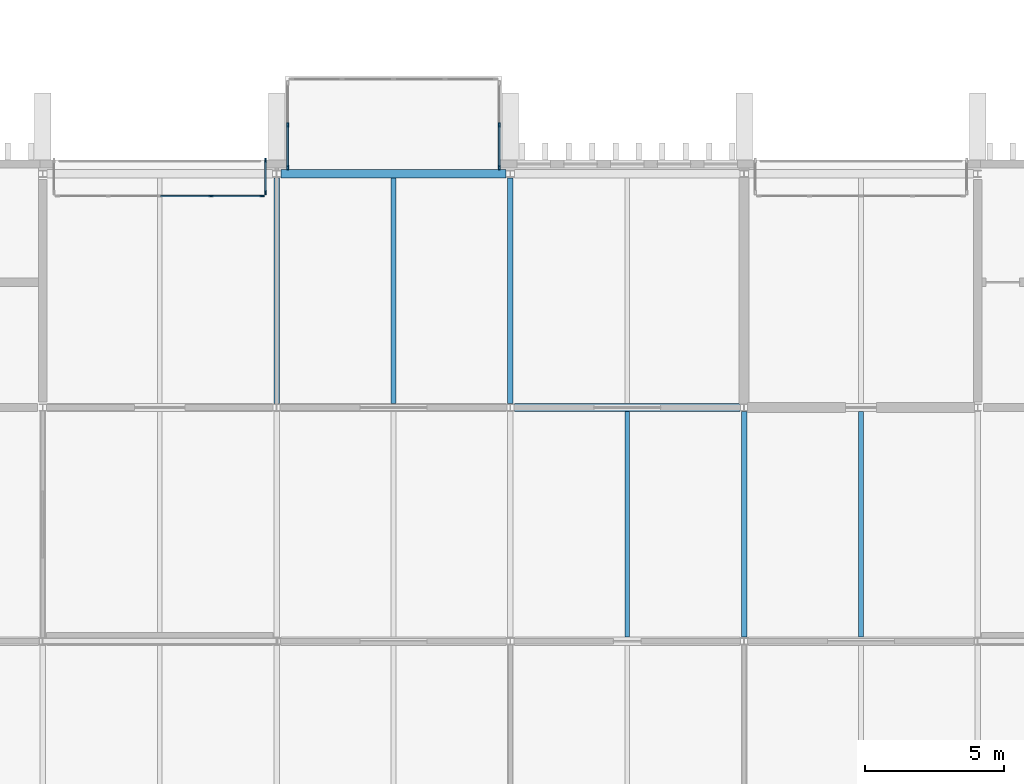
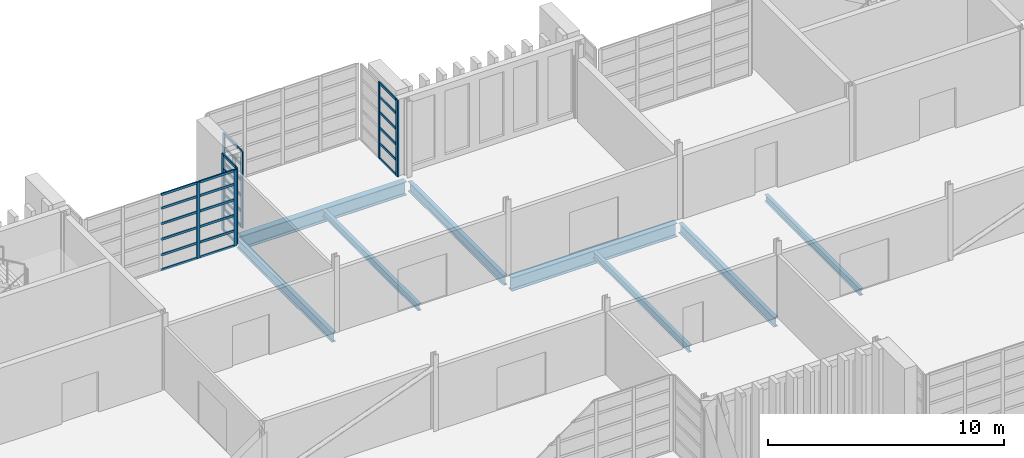
# One storey, part 26 of 88: 38 members, 8 beams, 4 elements without a shape of their own.
"""IFC4 building model written with IfcOpenShell, lengths in metres."""

from ifc_helpers import new_model, si_unit, direction, frame, origin, origin_2d, place, context, subcontext, project, spatial, rectangle, i_section, extrude, material, layer, layer_set, material_profile, profile_set, type_object, element, aggregate, save


model = new_model("IFC4")

# Units and contexts
model_context = context("Model", 3, precision=1e-05, world=origin(), true_north=direction((0.0, 1.0)))
body_context = subcontext(model_context, "Body", "Model", "MODEL_VIEW")
ifc_project = project(units=[si_unit("LENGTHUNIT", "METRE"), si_unit("AREAUNIT", "SQUARE_METRE"), si_unit("VOLUMEUNIT", "CUBIC_METRE"), si_unit("PLANEANGLEUNIT", "RADIAN"), si_unit("MASSUNIT", "GRAM", prefix="KILO")], contexts=[model_context])

# Site, building, storey
site_placement = place(None, origin())
site = spatial("IfcSite", under=ifc_project, at=site_placement, CompositionType="ELEMENT")
building_placement = place(site_placement, origin())
building = spatial("IfcBuilding", under=site, at=building_placement, Name="Cresset Court Congress Hotel", CompositionType="ELEMENT")
storey_placement = place(building_placement, frame((0.0, 0.0, 14.39990234375)))
storey = spatial("IfcBuildingStorey", under=building, at=storey_placement, Name="L03", CompositionType="ELEMENT", Elevation=14.39990234375)

# Curtain wall, members
ifc_material_1 = material(Name="Aluminium frame with double glazing", Category="aluminium")
ifc_layer = layer(ifc_material_1, 0.199951171875)
ifc_layer_set = layer_set([ifc_layer], Name="Glazed box curtain wall 1680 module")
curtain_wall_type = type_object("IfcCurtainWallType", Name="Glazed box curtain wall 1680 module", PredefinedType="NOTDEFINED", material=ifc_layer_set)
curtain_wall_1_placement = place(storey_placement, origin())
curtain_wall_1 = element("IfcCurtainWall", 1, at=curtain_wall_1_placement, inside=storey, type_object=curtain_wall_type, Name="Glazed box N0327 front", PredefinedType="NOTDEFINED")
ifc_material_2 = material(Name="Aluminium", Category="aluminium")
ifc_material_profile_1 = material_profile(ifc_material_2, rectangle(XDim=0.06005859375, YDim=0.159912109375, at=origin_2d()), Name="Box mullion 60x160")
ifc_profile_set_1 = profile_set([ifc_material_profile_1], Name="Aluminium")
member_type_1 = type_object("IfcMemberType", Name="Box mullion 60x160", PredefinedType="MULLION", material=ifc_profile_set_1)
member_1_placement = place(storey_placement, frame((73.25, 24.39990234375, 0.0), z_axis=(0.0, 0.0, 1.0), x_axis=(0.0, 1.0, 0.0)))
member_1 = element("IfcMember", 2, at=member_1_placement, type_object=member_type_1, Name="B-X1 mullion 4", PredefinedType="MULLION", context=body_context, shape_type="SweptSolid", body=[
    extrude(rectangle(XDim=0.06005859375, YDim=0.159912109375, at=origin_2d()), origin(), (0.0, 0.0, 1.0), 3.9501953125),
])
member_2_placement = place(storey_placement, frame((75.070068359375, 24.39990234375, 0.0), z_axis=(0.0, 0.0, 1.0), x_axis=(0.0, 1.0, 0.0)))
member_2 = element("IfcMember", 3, at=member_2_placement, type_object=member_type_1, Name="B-X1 mullion 5", PredefinedType="MULLION", context=body_context, shape_type="SweptSolid", body=[
    extrude(rectangle(XDim=0.06005859375, YDim=0.159912109375, at=origin_2d()), origin(), (0.0, 0.0, 1.0), 3.9501953125),
])

curtain_wall_2_placement = place(storey_placement, origin())
curtain_wall_2 = element("IfcCurtainWall", 4, at=curtain_wall_2_placement, inside=storey, type_object=curtain_wall_type, Name="Glazed box N0327 side", PredefinedType="NOTDEFINED")
member_3_placement = place(storey_placement, frame((75.199951171875, 25.669921875, 0.0), z_axis=(0.0, 0.0, 1.0), x_axis=(1.0, 0.0, 0.0)))
member_3 = element("IfcMember", 5, at=member_3_placement, type_object=member_type_1, Name="B-X1 mullion 1", PredefinedType="MULLION", context=body_context, shape_type="SweptSolid", body=[
    extrude(rectangle(XDim=0.06005859375, YDim=0.159912109375, at=origin_2d()), origin(), (0.0, 0.0, 1.0), 3.9501953125),
])
member_4_placement = place(storey_placement, frame((75.199951171875, 24.530029296875, 0.0), z_axis=(0.0, 0.0, 1.0), x_axis=(1.0, 0.0, 0.0)))
member_4 = element("IfcMember", 6, at=member_4_placement, type_object=member_type_1, Name="B-X1 mullion 2", PredefinedType="MULLION", context=body_context, shape_type="SweptSolid", body=[
    extrude(rectangle(XDim=0.06005859375, YDim=0.159912109375, at=origin_2d()), origin(), (0.0, 0.0, 1.0), 3.9501953125),
])

curtain_wall_3_placement = place(storey_placement, origin())
curtain_wall_3 = element("IfcCurtainWall", 7, at=curtain_wall_3_placement, inside=storey, type_object=curtain_wall_type, Name="Glazed box N0329 side", PredefinedType="NOTDEFINED")
member_5_placement = place(storey_placement, frame((76.0, 25.429931640625, 0.0), z_axis=(0.0, 0.0, 1.0), x_axis=(-1.0, 0.0, 0.0)))
member_5 = element("IfcMember", 8, at=member_5_placement, type_object=member_type_1, Name="B-X1 mullion 1", PredefinedType="MULLION", context=body_context, shape_type="SweptSolid", body=[
    extrude(rectangle(XDim=0.06005859375, YDim=0.159912109375, at=origin_2d()), origin(), (0.0, 0.0, 1.0), 3.9501953125),
])
member_6_placement = place(storey_placement, frame((76.0, 26.949951171875, 0.0), z_axis=(0.0, 0.0, 1.0), x_axis=(-1.0, 0.0, 0.0)))
member_6 = element("IfcMember", 9, at=member_6_placement, type_object=member_type_1, Name="B-X1 mullion 2", PredefinedType="MULLION", context=body_context, shape_type="SweptSolid", body=[
    extrude(rectangle(XDim=0.06005859375, YDim=0.159912109375, at=origin_2d()), origin(), (0.0, 0.0, 1.0), 3.9501953125),
])

curtain_wall_4_placement = place(storey_placement, origin())
curtain_wall_4 = element("IfcCurtainWall", 10, at=curtain_wall_4_placement, inside=storey, type_object=curtain_wall_type, Name="Glazed box N0329 side", PredefinedType="NOTDEFINED")
member_7_placement = place(storey_placement, frame((83.60009765625, 25.429931640625, 0.0), z_axis=(0.0, 0.0, 1.0), x_axis=(-1.0, 0.0, 0.0)))
member_7 = element("IfcMember", 11, at=member_7_placement, type_object=member_type_1, Name="B-X1 mullion 1", PredefinedType="MULLION", context=body_context, shape_type="SweptSolid", body=[
    extrude(rectangle(XDim=0.06005859375, YDim=0.159912109375, at=origin_2d()), origin(), (0.0, 0.0, 1.0), 3.9501953125),
])
member_8_placement = place(storey_placement, frame((83.60009765625, 26.949951171875, 0.0), z_axis=(0.0, 0.0, 1.0), x_axis=(-1.0, 0.0, 0.0)))
member_8 = element("IfcMember", 12, at=member_8_placement, type_object=member_type_1, Name="B-X1 mullion 2", PredefinedType="MULLION", context=body_context, shape_type="SweptSolid", body=[
    extrude(rectangle(XDim=0.06005859375, YDim=0.159912109375, at=origin_2d()), origin(), (0.0, 0.0, 1.0), 3.9501953125),
])

# Member
ifc_material_3 = material(Name="Aluminium", Category="aluminium")
ifc_material_profile_2 = material_profile(ifc_material_3, rectangle(XDim=0.06005859375, YDim=0.1201171875, at=origin_2d()), Name="Box transom 60x120")
ifc_profile_set_2 = profile_set([ifc_material_profile_2], Name="Aluminium")
member_type_2 = type_object("IfcMemberType", Name="Box transom 60x120", PredefinedType="USERDEFINED", material=ifc_profile_set_2)
member_9_placement = place(storey_placement, frame((71.429931640625, 24.39990234375, 0.030029296875), z_axis=(1.0, 0.0, 0.0), x_axis=(0.0, 1.0, 0.0)))
member_9 = element("IfcMember", 13, at=member_9_placement, type_object=member_type_2, Name="B-X1 transom 3.1", ObjectType="TRANSOM", PredefinedType="USERDEFINED", context=body_context, shape_type="SweptSolid", body=[
    extrude(rectangle(XDim=0.06005859375, YDim=0.1201171875, at=origin_2d()), origin(), (0.0, 0.0, 1.0), 1.7900390625),
])

member_10_placement = place(storey_placement, frame((71.429931640625, 24.39990234375, 0.80517578125), z_axis=(1.0, 0.0, 0.0), x_axis=(0.0, 1.0, 0.0)))
member_10 = element("IfcMember", 14, at=member_10_placement, type_object=member_type_2, Name="B-X1 transom 3.2", ObjectType="TRANSOM", PredefinedType="USERDEFINED", context=body_context, shape_type="SweptSolid", body=[
    extrude(rectangle(XDim=0.06005859375, YDim=0.1201171875, at=origin_2d()), origin(), (0.0, 0.0, 1.0), 1.7900390625),
])

member_11_placement = place(storey_placement, frame((71.429931640625, 24.39990234375, 1.610107421875), z_axis=(1.0, 0.0, 0.0), x_axis=(0.0, 1.0, 0.0)))
member_11 = element("IfcMember", 15, at=member_11_placement, type_object=member_type_2, Name="B-X1 transom 3.3", ObjectType="TRANSOM", PredefinedType="USERDEFINED", context=body_context, shape_type="SweptSolid", body=[
    extrude(rectangle(XDim=0.06005859375, YDim=0.1201171875, at=origin_2d()), origin(), (0.0, 0.0, 1.0), 1.7900390625),
])

member_12_placement = place(storey_placement, frame((71.429931640625, 24.39990234375, 2.4150390625), z_axis=(1.0, 0.0, 0.0), x_axis=(0.0, 1.0, 0.0)))
member_12 = element("IfcMember", 16, at=member_12_placement, type_object=member_type_2, Name="B-X1 transom 3.4", ObjectType="TRANSOM", PredefinedType="USERDEFINED", context=body_context, shape_type="SweptSolid", body=[
    extrude(rectangle(XDim=0.06005859375, YDim=0.1201171875, at=origin_2d()), origin(), (0.0, 0.0, 1.0), 1.7900390625),
])

member_13_placement = place(storey_placement, frame((71.429931640625, 24.39990234375, 3.22021484375), z_axis=(1.0, 0.0, 0.0), x_axis=(0.0, 1.0, 0.0)))
member_13 = element("IfcMember", 17, at=member_13_placement, type_object=member_type_2, Name="B-X1 transom 3.5", ObjectType="TRANSOM", PredefinedType="USERDEFINED", context=body_context, shape_type="SweptSolid", body=[
    extrude(rectangle(XDim=0.06005859375, YDim=0.1201171875, at=origin_2d()), origin(), (0.0, 0.0, 1.0), 1.7900390625),
])

member_14_placement = place(storey_placement, frame((71.429931640625, 24.39990234375, 3.920166015625), z_axis=(1.0, 0.0, 0.0), x_axis=(0.0, 1.0, 0.0)))
member_14 = element("IfcMember", 18, at=member_14_placement, type_object=member_type_2, Name="B-X1 transom 3.6", ObjectType="TRANSOM", PredefinedType="USERDEFINED", context=body_context, shape_type="SweptSolid", body=[
    extrude(rectangle(XDim=0.06005859375, YDim=0.1201171875, at=origin_2d()), origin(), (0.0, 0.0, 1.0), 1.7900390625),
])

member_15_placement = place(storey_placement, frame((73.280029296875, 24.39990234375, 0.030029296875), z_axis=(1.0, 0.0, 0.0), x_axis=(0.0, 1.0, 0.0)))
member_15 = element("IfcMember", 19, at=member_15_placement, type_object=member_type_2, Name="B-X1 transom 4.1", ObjectType="TRANSOM", PredefinedType="USERDEFINED", context=body_context, shape_type="SweptSolid", body=[
    extrude(rectangle(XDim=0.06005859375, YDim=0.1201171875, at=origin_2d()), origin(), (0.0, 0.0, 1.0), 1.760009765625),
])

member_16_placement = place(storey_placement, frame((73.280029296875, 24.39990234375, 0.80517578125), z_axis=(1.0, 0.0, 0.0), x_axis=(0.0, 1.0, 0.0)))
member_16 = element("IfcMember", 20, at=member_16_placement, type_object=member_type_2, Name="B-X1 transom 4.2", ObjectType="TRANSOM", PredefinedType="USERDEFINED", context=body_context, shape_type="SweptSolid", body=[
    extrude(rectangle(XDim=0.06005859375, YDim=0.1201171875, at=origin_2d()), origin(), (0.0, 0.0, 1.0), 1.760009765625),
])

member_17_placement = place(storey_placement, frame((73.280029296875, 24.39990234375, 1.610107421875), z_axis=(1.0, 0.0, 0.0), x_axis=(0.0, 1.0, 0.0)))
member_17 = element("IfcMember", 21, at=member_17_placement, type_object=member_type_2, Name="B-X1 transom 4.3", ObjectType="TRANSOM", PredefinedType="USERDEFINED", context=body_context, shape_type="SweptSolid", body=[
    extrude(rectangle(XDim=0.06005859375, YDim=0.1201171875, at=origin_2d()), origin(), (0.0, 0.0, 1.0), 1.760009765625),
])

member_18_placement = place(storey_placement, frame((73.280029296875, 24.39990234375, 2.4150390625), z_axis=(1.0, 0.0, 0.0), x_axis=(0.0, 1.0, 0.0)))
member_18 = element("IfcMember", 22, at=member_18_placement, type_object=member_type_2, Name="B-X1 transom 4.4", ObjectType="TRANSOM", PredefinedType="USERDEFINED", context=body_context, shape_type="SweptSolid", body=[
    extrude(rectangle(XDim=0.06005859375, YDim=0.1201171875, at=origin_2d()), origin(), (0.0, 0.0, 1.0), 1.760009765625),
])

member_19_placement = place(storey_placement, frame((73.280029296875, 24.39990234375, 3.22021484375), z_axis=(1.0, 0.0, 0.0), x_axis=(0.0, 1.0, 0.0)))
member_19 = element("IfcMember", 23, at=member_19_placement, type_object=member_type_2, Name="B-X1 transom 4.5", ObjectType="TRANSOM", PredefinedType="USERDEFINED", context=body_context, shape_type="SweptSolid", body=[
    extrude(rectangle(XDim=0.06005859375, YDim=0.1201171875, at=origin_2d()), origin(), (0.0, 0.0, 1.0), 1.760009765625),
])

member_20_placement = place(storey_placement, frame((73.280029296875, 24.39990234375, 3.920166015625), z_axis=(1.0, 0.0, 0.0), x_axis=(0.0, 1.0, 0.0)))
member_20 = element("IfcMember", 24, at=member_20_placement, type_object=member_type_2, Name="B-X1 transom 4.6", ObjectType="TRANSOM", PredefinedType="USERDEFINED", context=body_context, shape_type="SweptSolid", body=[
    extrude(rectangle(XDim=0.06005859375, YDim=0.1201171875, at=origin_2d()), origin(), (0.0, 0.0, 1.0), 1.760009765625),
])

aggregate(curtain_wall_1, [member_1, member_2, member_9, member_10, member_11, member_12, member_13, member_14, member_15, member_16, member_17, member_18, member_19, member_20])

member_21_placement = place(storey_placement, frame((75.199951171875, 25.639892578125, 0.030029296875), z_axis=(0.0, -1.0, 0.0), x_axis=(1.0, 0.0, 0.0)))
member_21 = element("IfcMember", 25, at=member_21_placement, type_object=member_type_2, Name="B-X1 transom 1.1", ObjectType="TRANSOM", PredefinedType="USERDEFINED", context=body_context, shape_type="SweptSolid", body=[
    extrude(rectangle(XDim=0.06005859375, YDim=0.1201171875, at=origin_2d()), origin(), (0.0, 0.0, 1.0), 1.079833984375),
])

member_22_placement = place(storey_placement, frame((75.199951171875, 25.639892578125, 0.80517578125), z_axis=(0.0, -1.0, 0.0), x_axis=(1.0, 0.0, 0.0)))
member_22 = element("IfcMember", 26, at=member_22_placement, type_object=member_type_2, Name="B-X1 transom 1.2", ObjectType="TRANSOM", PredefinedType="USERDEFINED", context=body_context, shape_type="SweptSolid", body=[
    extrude(rectangle(XDim=0.06005859375, YDim=0.1201171875, at=origin_2d()), origin(), (0.0, 0.0, 1.0), 1.079833984375),
])

member_23_placement = place(storey_placement, frame((75.199951171875, 25.639892578125, 1.610107421875), z_axis=(0.0, -1.0, 0.0), x_axis=(1.0, 0.0, 0.0)))
member_23 = element("IfcMember", 27, at=member_23_placement, type_object=member_type_2, Name="B-X1 transom 1.3", ObjectType="TRANSOM", PredefinedType="USERDEFINED", context=body_context, shape_type="SweptSolid", body=[
    extrude(rectangle(XDim=0.06005859375, YDim=0.1201171875, at=origin_2d()), origin(), (0.0, 0.0, 1.0), 1.079833984375),
])

member_24_placement = place(storey_placement, frame((75.199951171875, 25.639892578125, 2.4150390625), z_axis=(0.0, -1.0, 0.0), x_axis=(1.0, 0.0, 0.0)))
member_24 = element("IfcMember", 28, at=member_24_placement, type_object=member_type_2, Name="B-X1 transom 1.4", ObjectType="TRANSOM", PredefinedType="USERDEFINED", context=body_context, shape_type="SweptSolid", body=[
    extrude(rectangle(XDim=0.06005859375, YDim=0.1201171875, at=origin_2d()), origin(), (0.0, 0.0, 1.0), 1.079833984375),
])

member_25_placement = place(storey_placement, frame((75.199951171875, 25.639892578125, 3.22021484375), z_axis=(0.0, -1.0, 0.0), x_axis=(1.0, 0.0, 0.0)))
member_25 = element("IfcMember", 29, at=member_25_placement, type_object=member_type_2, Name="B-X1 transom 1.5", ObjectType="TRANSOM", PredefinedType="USERDEFINED", context=body_context, shape_type="SweptSolid", body=[
    extrude(rectangle(XDim=0.06005859375, YDim=0.1201171875, at=origin_2d()), origin(), (0.0, 0.0, 1.0), 1.079833984375),
])

member_26_placement = place(storey_placement, frame((75.199951171875, 25.639892578125, 3.920166015625), z_axis=(0.0, -1.0, 0.0), x_axis=(1.0, 0.0, 0.0)))
member_26 = element("IfcMember", 30, at=member_26_placement, type_object=member_type_2, Name="B-X1 transom 1.6", ObjectType="TRANSOM", PredefinedType="USERDEFINED", context=body_context, shape_type="SweptSolid", body=[
    extrude(rectangle(XDim=0.06005859375, YDim=0.1201171875, at=origin_2d()), origin(), (0.0, 0.0, 1.0), 1.079833984375),
])

aggregate(curtain_wall_2, [member_3, member_4, member_21, member_22, member_23, member_24, member_25, member_26])

member_27_placement = place(storey_placement, frame((76.0, 25.4599609375, 0.030029296875), z_axis=(0.0, 1.0, 0.0), x_axis=(-1.0, 0.0, 0.0)))
member_27 = element("IfcMember", 31, at=member_27_placement, type_object=member_type_2, Name="B-X1 transom 1.1", ObjectType="TRANSOM", PredefinedType="USERDEFINED", context=body_context, shape_type="SweptSolid", body=[
    extrude(rectangle(XDim=0.06005859375, YDim=0.1201171875, at=origin_2d()), origin(), (0.0, 0.0, 1.0), 1.4599609375),
])

member_28_placement = place(storey_placement, frame((76.0, 25.4599609375, 0.80517578125), z_axis=(0.0, 1.0, 0.0), x_axis=(-1.0, 0.0, 0.0)))
member_28 = element("IfcMember", 32, at=member_28_placement, type_object=member_type_2, Name="B-X1 transom 1.2", ObjectType="TRANSOM", PredefinedType="USERDEFINED", context=body_context, shape_type="SweptSolid", body=[
    extrude(rectangle(XDim=0.06005859375, YDim=0.1201171875, at=origin_2d()), origin(), (0.0, 0.0, 1.0), 1.4599609375),
])

member_29_placement = place(storey_placement, frame((76.0, 25.4599609375, 1.610107421875), z_axis=(0.0, 1.0, 0.0), x_axis=(-1.0, 0.0, 0.0)))
member_29 = element("IfcMember", 33, at=member_29_placement, type_object=member_type_2, Name="B-X1 transom 1.3", ObjectType="TRANSOM", PredefinedType="USERDEFINED", context=body_context, shape_type="SweptSolid", body=[
    extrude(rectangle(XDim=0.06005859375, YDim=0.1201171875, at=origin_2d()), origin(), (0.0, 0.0, 1.0), 1.4599609375),
])

member_30_placement = place(storey_placement, frame((76.0, 25.4599609375, 2.4150390625), z_axis=(0.0, 1.0, 0.0), x_axis=(-1.0, 0.0, 0.0)))
member_30 = element("IfcMember", 34, at=member_30_placement, type_object=member_type_2, Name="B-X1 transom 1.4", ObjectType="TRANSOM", PredefinedType="USERDEFINED", context=body_context, shape_type="SweptSolid", body=[
    extrude(rectangle(XDim=0.06005859375, YDim=0.1201171875, at=origin_2d()), origin(), (0.0, 0.0, 1.0), 1.4599609375),
])

member_31_placement = place(storey_placement, frame((76.0, 25.4599609375, 3.22021484375), z_axis=(0.0, 1.0, 0.0), x_axis=(-1.0, 0.0, 0.0)))
member_31 = element("IfcMember", 35, at=member_31_placement, type_object=member_type_2, Name="B-X1 transom 1.5", ObjectType="TRANSOM", PredefinedType="USERDEFINED", context=body_context, shape_type="SweptSolid", body=[
    extrude(rectangle(XDim=0.06005859375, YDim=0.1201171875, at=origin_2d()), origin(), (0.0, 0.0, 1.0), 1.4599609375),
])

member_32_placement = place(storey_placement, frame((76.0, 25.4599609375, 3.920166015625), z_axis=(0.0, 1.0, 0.0), x_axis=(-1.0, 0.0, 0.0)))
member_32 = element("IfcMember", 36, at=member_32_placement, type_object=member_type_2, Name="B-X1 transom 1.6", ObjectType="TRANSOM", PredefinedType="USERDEFINED", context=body_context, shape_type="SweptSolid", body=[
    extrude(rectangle(XDim=0.06005859375, YDim=0.1201171875, at=origin_2d()), origin(), (0.0, 0.0, 1.0), 1.4599609375),
])

aggregate(curtain_wall_3, [member_5, member_6, member_27, member_28, member_29, member_30, member_31, member_32])

member_33_placement = place(storey_placement, frame((83.60009765625, 25.4599609375, 0.030029296875), z_axis=(0.0, 1.0, 0.0), x_axis=(-1.0, 0.0, 0.0)))
member_33 = element("IfcMember", 37, at=member_33_placement, type_object=member_type_2, Name="B-X1 transom 1.1", ObjectType="TRANSOM", PredefinedType="USERDEFINED", context=body_context, shape_type="SweptSolid", body=[
    extrude(rectangle(XDim=0.06005859375, YDim=0.1201171875, at=origin_2d()), origin(), (0.0, 0.0, 1.0), 1.4599609375),
])

member_34_placement = place(storey_placement, frame((83.60009765625, 25.4599609375, 0.80517578125), z_axis=(0.0, 1.0, 0.0), x_axis=(-1.0, 0.0, 0.0)))
member_34 = element("IfcMember", 38, at=member_34_placement, type_object=member_type_2, Name="B-X1 transom 1.2", ObjectType="TRANSOM", PredefinedType="USERDEFINED", context=body_context, shape_type="SweptSolid", body=[
    extrude(rectangle(XDim=0.06005859375, YDim=0.1201171875, at=origin_2d()), origin(), (0.0, 0.0, 1.0), 1.4599609375),
])

member_35_placement = place(storey_placement, frame((83.60009765625, 25.4599609375, 1.610107421875), z_axis=(0.0, 1.0, 0.0), x_axis=(-1.0, 0.0, 0.0)))
member_35 = element("IfcMember", 39, at=member_35_placement, type_object=member_type_2, Name="B-X1 transom 1.3", ObjectType="TRANSOM", PredefinedType="USERDEFINED", context=body_context, shape_type="SweptSolid", body=[
    extrude(rectangle(XDim=0.06005859375, YDim=0.1201171875, at=origin_2d()), origin(), (0.0, 0.0, 1.0), 1.4599609375),
])

member_36_placement = place(storey_placement, frame((83.60009765625, 25.4599609375, 2.4150390625), z_axis=(0.0, 1.0, 0.0), x_axis=(-1.0, 0.0, 0.0)))
member_36 = element("IfcMember", 40, at=member_36_placement, type_object=member_type_2, Name="B-X1 transom 1.4", ObjectType="TRANSOM", PredefinedType="USERDEFINED", context=body_context, shape_type="SweptSolid", body=[
    extrude(rectangle(XDim=0.06005859375, YDim=0.1201171875, at=origin_2d()), origin(), (0.0, 0.0, 1.0), 1.4599609375),
])

member_37_placement = place(storey_placement, frame((83.60009765625, 25.4599609375, 3.22021484375), z_axis=(0.0, 1.0, 0.0), x_axis=(-1.0, 0.0, 0.0)))
member_37 = element("IfcMember", 41, at=member_37_placement, type_object=member_type_2, Name="B-X1 transom 1.5", ObjectType="TRANSOM", PredefinedType="USERDEFINED", context=body_context, shape_type="SweptSolid", body=[
    extrude(rectangle(XDim=0.06005859375, YDim=0.1201171875, at=origin_2d()), origin(), (0.0, 0.0, 1.0), 1.4599609375),
])

member_38_placement = place(storey_placement, frame((83.60009765625, 25.4599609375, 3.920166015625), z_axis=(0.0, 1.0, 0.0), x_axis=(-1.0, 0.0, 0.0)))
member_38 = element("IfcMember", 42, at=member_38_placement, type_object=member_type_2, Name="B-X1 transom 1.6", ObjectType="TRANSOM", PredefinedType="USERDEFINED", context=body_context, shape_type="SweptSolid", body=[
    extrude(rectangle(XDim=0.06005859375, YDim=0.1201171875, at=origin_2d()), origin(), (0.0, 0.0, 1.0), 1.4599609375),
])

aggregate(curtain_wall_4, [member_7, member_8, member_33, member_34, member_35, member_36, member_37, member_38])

# Beams
ifc_material_4 = material(Name="Structural steel Q355B", Category="steel")
ifc_material_profile_3 = material_profile(ifc_material_4, i_section(OverallWidth=0.199951171875, OverallDepth=0.5, WebThickness=0.010009765625, FlangeThickness=0.01611328125, FilletRadius=0.012939453125, at=origin_2d()), Name="HN500x200x10x16")
ifc_profile_set_3 = profile_set([ifc_material_profile_3], Name="Structural steel Q355B")
beam_type_1 = type_object("IfcBeamType", Name="Steel beam HN500x200x10x16", PredefinedType="BEAM", material=ifc_profile_set_3)
for number, where, z_axis, x_axis, name in (
    (43, (75.60009765625, 16.949951171875, -0.39990234375), (0.0, 1.0, 0.0), (-1.0, 0.0, 0.0), "B.by.L03.10C"),
    (44, (84.0, 16.949951171875, -0.39990234375), (0.0, 1.0, 0.0), (-1.0, 0.0, 0.0), "B.by.L03.11C"),
):
    element("IfcBeam", number, at=place(storey_placement, frame(where, z_axis=z_axis, x_axis=x_axis)), inside=storey, type_object=beam_type_1, Name=name, PredefinedType="BEAM", context=body_context, shape_type="SweptSolid", body=[
        extrude(i_section(OverallWidth=0.199951171875, OverallDepth=0.5, WebThickness=0.010009765625, FlangeThickness=0.01611328125, FilletRadius=0.012939453125, at=origin_2d()), origin(), (0.0, 0.0, 1.0), 8.10009765625),
    ])
beam_1_placement = place(storey_placement, frame((92.39990234375, 8.550048828125, -0.39990234375), z_axis=(0.0, 1.0, 0.0), x_axis=(-1.0, 0.0, 0.0)))
element("IfcBeam", 45, at=beam_1_placement, inside=storey, type_object=beam_type_1, Name="B.by.L03.12B", PredefinedType="BEAM", context=body_context, shape_type="SweptSolid", body=[
    extrude(i_section(OverallWidth=0.199951171875, OverallDepth=0.5, WebThickness=0.010009765625, FlangeThickness=0.01611328125, FilletRadius=0.012939453125, at=origin_2d()), origin(), (0.0, 0.0, 1.0), 8.099853515625),
])
ifc_material_5 = material(Name="Structural steel Q355B", Category="steel")
ifc_material_profile_4 = material_profile(ifc_material_5, i_section(OverallWidth=0.300048828125, OverallDepth=0.699951171875, WebThickness=0.012939453125, FlangeThickness=0.02392578125, FilletRadius=0.01806640625, at=origin_2d()), Name="HN700x300x13x24")
ifc_profile_set_4 = profile_set([ifc_material_profile_4], Name="Structural steel Q355B")
beam_type_2 = type_object("IfcBeamType", Name="Steel beam HN700x300x13x24", PredefinedType="BEAM", material=ifc_profile_set_4)
for number, where, z_axis, x_axis, name in (
    (46, (84.14990234375, 16.800048828125, -0.5), (1.0, 0.0, 0.0), (0.0, 1.0, 0.0), "B.bx.L03.C11"),
    (47, (75.75, 25.199951171875, -0.5), (1.0, 0.0, 0.0), (0.0, 1.0, 0.0), "B.bx.L03.D10"),
):
    element("IfcBeam", number, at=place(storey_placement, frame(where, z_axis=z_axis, x_axis=x_axis)), inside=storey, type_object=beam_type_2, Name=name, PredefinedType="BEAM", context=body_context, shape_type="SweptSolid", body=[
        extrude(i_section(OverallWidth=0.300048828125, OverallDepth=0.699951171875, WebThickness=0.012939453125, FlangeThickness=0.02392578125, FilletRadius=0.01806640625, at=origin_2d()), origin(), (0.0, 0.0, 1.0), 8.10009765625),
    ])
ifc_material_6 = material(Name="Structural steel Q355B", Category="steel")
ifc_material_profile_5 = material_profile(ifc_material_6, i_section(OverallWidth=0.175048828125, OverallDepth=0.35009765625, WebThickness=0.007080078125, FlangeThickness=0.010986328125, FilletRadius=0.012939453125, at=origin_2d()), Name="HN350x175x7x11")
ifc_profile_set_5 = profile_set([ifc_material_profile_5], Name="Structural steel Q355B")
beam_type_3 = type_object("IfcBeamType", Name="Steel joist HN350x175x7x11", PredefinedType="JOIST", material=ifc_profile_set_5)
beam_2_placement = place(storey_placement, frame((79.800048828125, 16.949951171875, -0.324951171875), z_axis=(0.0, 1.0, 0.0), x_axis=(-1.0, 0.0, 0.0)))
element("IfcBeam", 48, at=beam_2_placement, inside=storey, type_object=beam_type_3, Name="B.bj.L03.10C", PredefinedType="JOIST", context=body_context, shape_type="SweptSolid", body=[
    extrude(i_section(OverallWidth=0.175048828125, OverallDepth=0.35009765625, WebThickness=0.007080078125, FlangeThickness=0.010986328125, FilletRadius=0.012939453125, at=origin_2d()), origin(), (0.0, 0.0, 1.0), 8.10009765625),
])
for number, where, z_axis, x_axis, name in (
    (49, (88.199951171875, 8.550048828125, -0.324951171875), (0.0, 1.0, 0.0), (-1.0, 0.0, 0.0), "B.bj.L03.11B"),
    (50, (96.60009765625, 8.550048828125, -0.324951171875), (0.0, 1.0, 0.0), (-1.0, 0.0, 0.0), "B.bj.L03.12B"),
):
    element("IfcBeam", number, at=place(storey_placement, frame(where, z_axis=z_axis, x_axis=x_axis)), inside=storey, type_object=beam_type_3, Name=name, PredefinedType="JOIST", context=body_context, shape_type="SweptSolid", body=[
        extrude(i_section(OverallWidth=0.175048828125, OverallDepth=0.35009765625, WebThickness=0.007080078125, FlangeThickness=0.010986328125, FilletRadius=0.012939453125, at=origin_2d()), origin(), (0.0, 0.0, 1.0), 8.099853515625),
    ])

save(model, "model.ifc")
